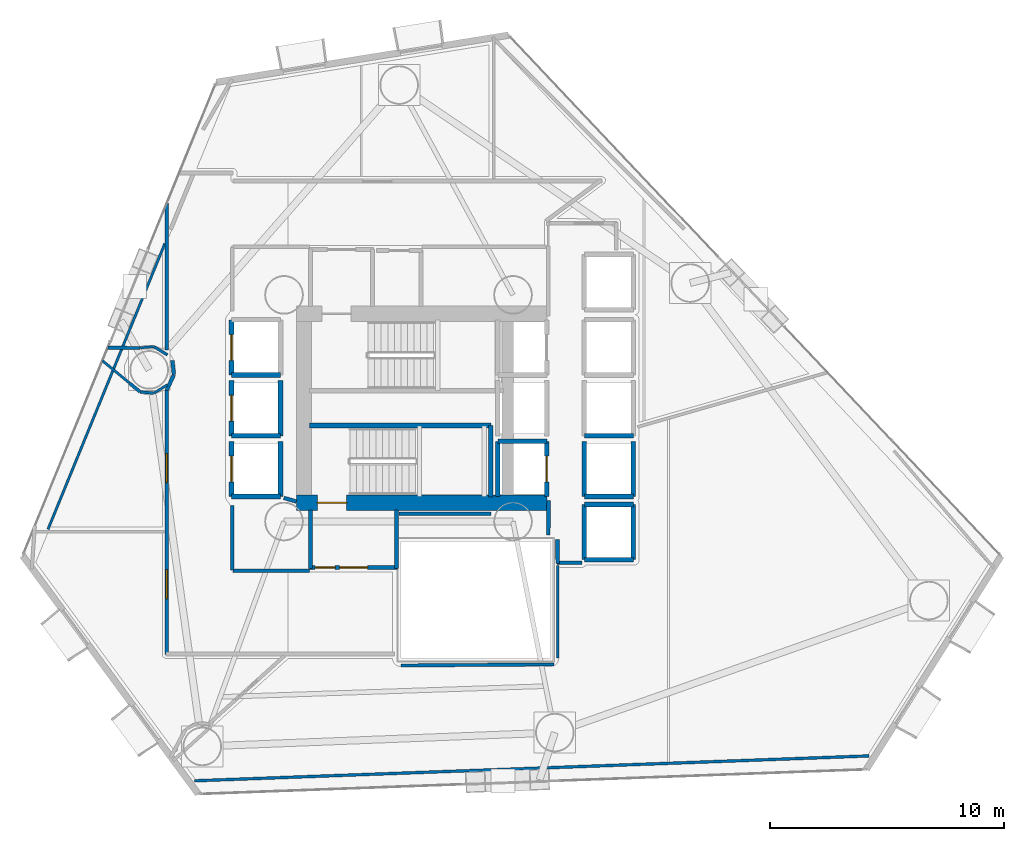
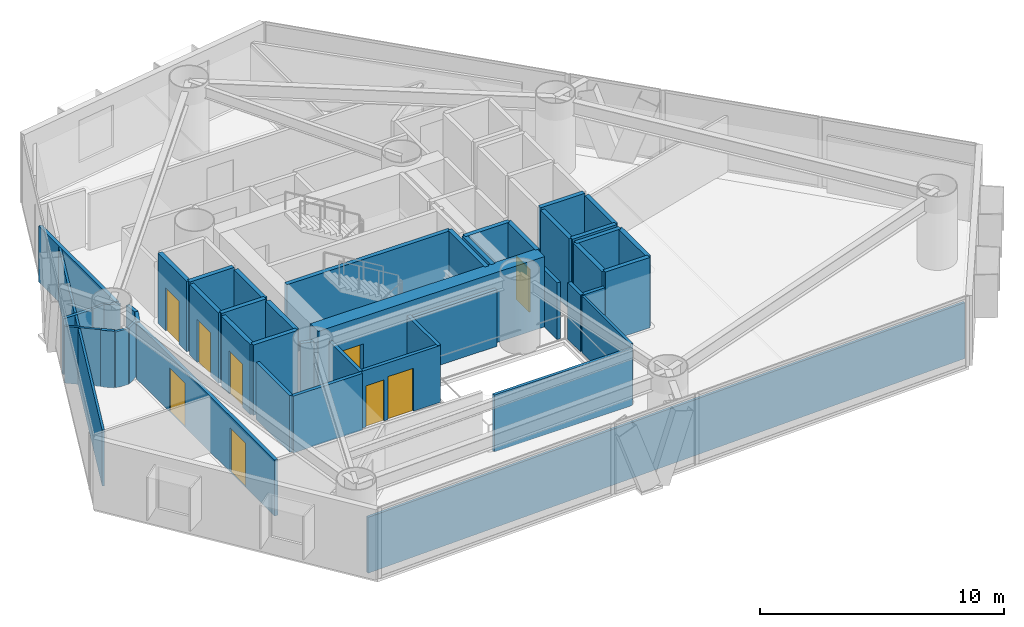
# One storey, part 17 of 23: 47 walls, 9 doors, 9 openings.
"""IFC4 building model written with IfcOpenShell, lengths in metres."""

from ifc_helpers import new_model, si_unit, direction, frame, frame_2d, origin, place, context, subcontext, project, spatial, rectangle, extrude, material, layer, layer_set, type_object, element, fill, save


model = new_model("IFC4")

# Units and contexts
model_context = context("Model", 3, precision=1e-05, world=origin(), true_north=direction((0.0, 1.0)))
body_context = subcontext(model_context, "Body", "Model", "MODEL_VIEW")
ifc_project = project(units=[si_unit("LENGTHUNIT", "METRE"), si_unit("AREAUNIT", "SQUARE_METRE"), si_unit("VOLUMEUNIT", "CUBIC_METRE"), si_unit("PLANEANGLEUNIT", "RADIAN"), si_unit("MASSUNIT", "GRAM", prefix="KILO")], contexts=[model_context])

# Site, building, storey
site_placement = place(None, origin())
site = spatial("IfcSite", under=ifc_project, at=site_placement, CompositionType="ELEMENT")
building_placement = place(site_placement, origin())
building = spatial("IfcBuilding", under=site, at=building_placement, Name="Qianvela Tower", CompositionType="ELEMENT")
storey_placement = place(building_placement, frame((0.0, 0.0, 52.5)))
storey = spatial("IfcBuildingStorey", under=building, at=storey_placement, Name="L12", CompositionType="ELEMENT", Elevation=52.5)

# Wall, opening, door
ifc_material_1 = material(Name="Concrete C60", Category="concrete")
ifc_layer_1 = layer(ifc_material_1, 0.64990234375)
ifc_layer_set_1 = layer_set([ifc_layer_1], Name="Concrete C60")
wall_type_1 = type_object("IfcWallType", Name="WT-CORE-650", PredefinedType="SHEAR", material=ifc_layer_set_1)
wall_1_placement = place(storey_placement, frame((29.1298828125, 24.655029296875, 0.0), z_axis=(0.0, 0.0, 1.0), x_axis=(1.0, 0.0, 0.0)))
wall_1 = element("IfcWall", 1, at=wall_1_placement, inside=storey, type_object=wall_type_1, Name="L12 South Core Shear Wall", PredefinedType="SHEAR", context=body_context, shape_type="SweptSolid", body=[
    extrude(rectangle(XDim=10.72021484375, YDim=0.64990234375, at=frame_2d((5.360107421875, 0.0))), origin(), (0.0, 0.0, 1.0), 3.52001953125),
])
opening_1_placement = place(wall_1_placement, frame((0.89501953125, 0.0, 0.0)))
opening_1 = element("IfcOpeningElement", 2, at=opening_1_placement, cuts=wall_1, Name="Opening D-ST1", PredefinedType="OPENING", context=body_context, shape_type="SweptSolid", body=[
    extrude(rectangle(XDim=1.25, YDim=2.14990234375, at=frame_2d((0.625, 1.074951171875))), frame((0.0, 0.3349609375, 0.0), z_axis=(0.0, -1.0, 0.0), x_axis=(1.0, 0.0, 0.0)), (0.0, 0.0, 1.0), 0.669921875),
])
ifc_material_2 = material(Name="Galvanised Fire Steel Q355B", Category="steel")
door_type_1 = type_object("IfcDoorType", Name="DT-STAIR-FD90", OperationType="NOTDEFINED", PredefinedType="DOOR", material=ifc_material_2)
door_1_placement = place(opening_1_placement, origin())
door_1 = element("IfcDoor", 3, at=door_1_placement, inside=storey, type_object=door_type_1, Name="L12 Stair ST-2 Exit Door", OperationType="SINGLE_SWING_RIGHT", OverallHeight=2.14990234375, OverallWidth=1.25, PredefinedType="DOOR", context=body_context, shape_type="SweptSolid", body=[
    extrude(rectangle(XDim=1.25, YDim=2.14990234375, at=frame_2d((0.625, 1.074951171875))), frame((0.0, 0.02490234375, 0.0), z_axis=(0.0, -1.0, 0.0), x_axis=(1.0, 0.0, 0.0)), (0.0, 0.0, 1.0), 0.050048828125),
])
fill(opening_1, door_1)

# Wall, openings, doors
ifc_material_3 = material(Name="Fire-Rated Gypsum and Concrete Block", Category="concrete")
ifc_layer_2 = layer(ifc_material_3, 0.159912109375)
ifc_layer_set_2 = layer_set([ifc_layer_2], Name="Fire-Rated Gypsum and Concrete Block")
wall_type_2 = type_object("IfcWallType", Name="WT-CORR-160", PredefinedType="PARTITIONING", material=ifc_layer_set_2)
wall_2_placement = place(storey_placement, frame((33.449951171875, 21.881103515625, 0.0), z_axis=(0.0, 0.0, 1.0), x_axis=(-1.0, 0.0, 0.0)))
wall_2 = element("IfcWall", 4, at=wall_2_placement, inside=storey, type_object=wall_type_2, Name="L12 Partition 5", PredefinedType="PARTITIONING", context=body_context, shape_type="SweptSolid", body=[
    extrude(rectangle(XDim=3.75, YDim=0.159912109375, at=frame_2d((1.875, 0.0))), origin(), (0.0, 0.0, 1.0), 2.840087890625),
])
opening_2_placement = place(wall_2_placement, frame((1.27490234375, 0.0, 0.0)))
opening_2 = element("IfcOpeningElement", 5, at=opening_2_placement, cuts=wall_2, Name="Opening D-LB1", PredefinedType="OPENING", context=body_context, shape_type="SweptSolid", body=[
    extrude(rectangle(XDim=1.199951171875, YDim=2.14990234375, at=frame_2d((0.60009765625, 1.074951171875))), frame((0.0, 0.08984375, 0.0), z_axis=(0.0, -1.0, 0.0), x_axis=(1.0, 0.0, 0.0)), (0.0, 0.0, 1.0), 0.179931640625),
])
opening_3_placement = place(wall_2_placement, frame((2.659912109375, 0.0, 0.0)))
opening_3 = element("IfcOpeningElement", 6, at=opening_3_placement, cuts=wall_2, Name="Opening D-LB2", PredefinedType="OPENING", context=body_context, shape_type="SweptSolid", body=[
    extrude(rectangle(XDim=0.860107421875, YDim=2.050048828125, at=frame_2d((0.43017578125, 1.02490234375))), frame((0.0, 0.08984375, 0.0), z_axis=(0.0, -1.0, 0.0), x_axis=(1.0, 0.0, 0.0)), (0.0, 0.0, 1.0), 0.179931640625),
])
ifc_material_4 = material(Name="Glazed Fire-Rated Steel Frame", Category="steel")
door_type_2 = type_object("IfcDoorType", Name="DT-LOBBY-FD90", OperationType="NOTDEFINED", PredefinedType="DOOR", material=ifc_material_4)
door_2_placement = place(opening_2_placement, origin())
door_2 = element("IfcDoor", 7, at=door_2_placement, inside=storey, type_object=door_type_2, Name="L12 Door L12 Firefighting Lobby South to L12 Floor Corridor", OperationType="SINGLE_SWING_LEFT", OverallHeight=2.14990234375, OverallWidth=1.199951171875, PredefinedType="DOOR", context=body_context, shape_type="SweptSolid", body=[
    extrude(rectangle(XDim=1.199951171875, YDim=2.14990234375, at=frame_2d((0.60009765625, 1.074951171875))), frame((0.0, 0.02490234375, 0.0), z_axis=(0.0, -1.0, 0.0), x_axis=(1.0, 0.0, 0.0)), (0.0, 0.0, 1.0), 0.050048828125),
])
fill(opening_2, door_2)
ifc_material_5 = material(Name="Insulated Steel Fire Door Q355B", Category="steel")
door_type_3 = type_object("IfcDoorType", Name="DT-LOBBY-FD90-860", OperationType="NOTDEFINED", PredefinedType="DOOR", material=ifc_material_5)
door_3_placement = place(opening_3_placement, origin())
door_3 = element("IfcDoor", 8, at=door_3_placement, inside=storey, type_object=door_type_3, Name="L12 Door L12 Firefighting Lobby South to L12 Floor Corridor", OperationType="SINGLE_SWING_RIGHT", OverallHeight=2.050048828125, OverallWidth=0.860107421875, PredefinedType="DOOR", context=body_context, shape_type="SweptSolid", body=[
    extrude(rectangle(XDim=0.860107421875, YDim=2.050048828125, at=frame_2d((0.43017578125, 1.02490234375))), frame((0.0, 0.02490234375, 0.0), z_axis=(0.0, -1.0, 0.0), x_axis=(1.0, 0.0, 0.0)), (0.0, 0.0, 1.0), 0.050048828125),
])
fill(opening_3, door_3)

# Walls
for number, where, z_axis, x_axis, name in (
    (9, (29.73095703125, 21.85009765625, 0.0), (0.0, 0.0, 1.0), (0.0, 1.0, 0.0), "L12 Partition 6"),
    (10, (33.4189453125, 24.342041015625, 0.0), (0.0, 0.0, 1.0), (0.0, -1.0, 0.0), "L12 Partition 8"),
):
    element("IfcWall", number, at=place(storey_placement, frame(where, z_axis=z_axis, x_axis=x_axis)), inside=storey, type_object=wall_type_2, Name=name, PredefinedType="PARTITIONING", context=body_context, shape_type="SweptSolid", body=[
        extrude(rectangle(XDim=2.491943359375, YDim=0.159912109375, at=frame_2d((1.24609375, 0.0))), origin(), (0.0, 0.0, 1.0), 2.840087890625),
    ])
wall_3_placement = place(storey_placement, frame((41.360107421875, 22.0810546875, 0.0), z_axis=(0.0, 0.0, 1.0), x_axis=(-1.0, 0.0, 0.0)))
element("IfcWall", 11, at=wall_3_placement, inside=storey, type_object=wall_type_2, Name="L12 Partition 15", PredefinedType="PARTITIONING", context=body_context, shape_type="SweptSolid", body=[
    extrude(rectangle(XDim=1.080078125, YDim=0.159912109375, at=frame_2d((0.5400390625, 0.0))), origin(), (0.0, 0.0, 1.0), 2.840087890625),
])
wall_4_placement = place(storey_placement, frame((40.31103515625, 22.05029296875, 0.0), z_axis=(0.0, 0.0, 1.0), x_axis=(-0.011836292006, 0.999929948642, 0.0)))
element("IfcWall", 12, at=wall_4_placement, inside=storey, type_object=wall_type_2, Name="L12 Partition 16", PredefinedType="PARTITIONING", context=body_context, shape_type="SweptSolid", body=[
    extrude(rectangle(XDim=1.03125, YDim=0.159912109375, at=frame_2d((0.515625, 0.0))), origin(), (0.0, 0.0, 1.0), 2.840087890625),
])
wall_5_placement = place(storey_placement, frame((39.910888671875, 23.27978515625, 0.0), z_axis=(0.0, 0.0, 1.0), x_axis=(0.009397771291, 0.999955839972, 0.0)))
element("IfcWall", 13, at=wall_5_placement, inside=storey, type_object=wall_type_2, Name="L12 Partition 17", PredefinedType="PARTITIONING", context=body_context, shape_type="SweptSolid", body=[
    extrude(rectangle(XDim=1.480712890625, YDim=0.159912109375, at=frame_2d((0.740234375, 0.0))), origin(), (0.0, 0.0, 1.0), 2.840087890625),
])
wall_6_placement = place(storey_placement, frame((29.1298828125, 24.706298828125, 0.0), z_axis=(0.0, 0.0, 1.0), x_axis=(-0.960451214223, 0.278448316742, 0.0)))
element("IfcWall", 14, at=wall_6_placement, inside=storey, type_object=wall_type_2, Name="L12 Partition 27", PredefinedType="PARTITIONING", context=body_context, shape_type="SweptSolid", body=[
    extrude(rectangle(XDim=0.56201171875, YDim=0.159912109375, at=frame_2d((0.281005859375, 0.0))), origin(), (0.0, 0.0, 1.0), 2.840087890625),
])
wall_7_placement = place(storey_placement, frame((37.466552734375, 24.180908203125, 0.0), z_axis=(0.0, 0.0, 1.0), x_axis=(-1.0, 0.0, 0.0)))
element("IfcWall", 15, at=wall_7_placement, inside=storey, type_object=wall_type_2, Name="L12 Partition 34", PredefinedType="PARTITIONING", context=body_context, shape_type="SweptSolid", body=[
    extrude(rectangle(XDim=3.9365234375, YDim=0.159912109375, at=frame_2d((1.96826171875, 0.0))), origin(), (0.0, 0.0, 1.0), 2.840087890625),
])
wall_8_placement = place(storey_placement, frame((23.5810546875, 31.197265625, 0.0), z_axis=(0.0, 0.0, 1.0), x_axis=(0.0, 1.0, 0.0)))
element("IfcWall", 16, at=wall_8_placement, inside=storey, type_object=wall_type_2, Name="L12 Partition 35", PredefinedType="PARTITIONING", context=body_context, shape_type="SweptSolid", body=[
    extrude(rectangle(XDim=6.287109375, YDim=0.159912109375, at=frame_2d((3.1435546875, 0.0))), origin(), (0.0, 0.0, 1.0), 2.798095703125),
])
wall_9_placement = place(storey_placement, frame((26.388916015625, 24.530517578125, 0.0), z_axis=(0.0, 0.0, 1.0), x_axis=(0.0, -1.0, 0.0)))
element("IfcWall", 17, at=wall_9_placement, inside=storey, type_object=wall_type_2, Name="L12 Partition 44", PredefinedType="PARTITIONING", context=body_context, shape_type="SweptSolid", body=[
    extrude(rectangle(XDim=2.75048828125, YDim=0.159912109375, at=frame_2d((1.375244140625, 0.0))), origin(), (0.0, 0.0, 1.0), 2.840087890625),
])
wall_10_placement = place(storey_placement, frame((26.419921875, 21.7490234375, 0.0), z_axis=(0.0, 0.0, 1.0), x_axis=(1.0, 0.0, 0.0)))
element("IfcWall", 18, at=wall_10_placement, inside=storey, type_object=wall_type_2, Name="L12 Partition 45 seg 1", PredefinedType="PARTITIONING", context=body_context, shape_type="SweptSolid", body=[
    extrude(rectangle(XDim=3.280029296875, YDim=0.159912109375, at=frame_2d((1.64013671875, 0.0))), origin(), (0.0, 0.0, 1.0), 2.840087890625),
])

# Wall, openings, doors
wall_11_placement = place(storey_placement, frame((23.5810546875, 18.14990234375, 0.0), z_axis=(0.0, 0.0, 1.0), x_axis=(0.0, 1.0, 0.0)))
wall_11 = element("IfcWall", 19, at=wall_11_placement, inside=storey, type_object=wall_type_2, Name="L12 Partition 47", PredefinedType="PARTITIONING", context=body_context, shape_type="SweptSolid", body=[
    extrude(rectangle(XDim=11.3330078125, YDim=0.159912109375, at=frame_2d((5.66650390625, 0.0))), origin(), (0.0, 0.0, 1.0), 2.798095703125),
])
opening_4_placement = place(wall_11_placement, frame((2.39404296875, 0.0, 0.0)))
opening_4 = element("IfcOpeningElement", 20, at=opening_4_placement, cuts=wall_11, Name="Opening D-LG1", PredefinedType="OPENING", context=body_context, shape_type="SweptSolid", body=[
    extrude(rectangle(XDim=1.25, YDim=2.199951171875, at=frame_2d((0.625, 1.10009765625))), frame((0.0, 0.08984375, 0.0), z_axis=(0.0, -1.0, 0.0), x_axis=(1.0, 0.0, 0.0)), (0.0, 0.0, 1.0), 0.179931640625),
])
opening_5_placement = place(wall_11_placement, frame((7.361083984375, 0.0, 0.0)))
opening_5 = element("IfcOpeningElement", 21, at=opening_5_placement, cuts=wall_11, Name="Opening D-LG1", PredefinedType="OPENING", context=body_context, shape_type="SweptSolid", body=[
    extrude(rectangle(XDim=1.25, YDim=2.199951171875, at=frame_2d((0.625, 1.10009765625))), frame((0.0, 0.08984375, 0.0), z_axis=(0.0, -1.0, 0.0), x_axis=(1.0, 0.0, 0.0)), (0.0, 0.0, 1.0), 0.179931640625),
])
ifc_material_6 = material(Name="Anodised Aluminium Acoustic Glass Door", Category="aluminium")
door_type_4 = type_object("IfcDoorType", Name="DT-LOUNGE-1250", OperationType="NOTDEFINED", PredefinedType="DOOR", material=ifc_material_6)
door_4_placement = place(opening_4_placement, origin())
door_4 = element("IfcDoor", 22, at=door_4_placement, inside=storey, type_object=door_type_4, Name="L12 Door Maker Craft Workshop L12-01 to L12 Floor Corridor", OperationType="SINGLE_SWING_LEFT", OverallHeight=2.199951171875, OverallWidth=1.25, PredefinedType="DOOR", context=body_context, shape_type="SweptSolid", body=[
    extrude(rectangle(XDim=1.25, YDim=2.199951171875, at=frame_2d((0.625, 1.10009765625))), frame((0.0, 0.02490234375, 0.0), z_axis=(0.0, -1.0, 0.0), x_axis=(1.0, 0.0, 0.0)), (0.0, 0.0, 1.0), 0.050048828125),
])
fill(opening_4, door_4)
door_5_placement = place(opening_5_placement, origin())
door_5 = element("IfcDoor", 23, at=door_5_placement, inside=storey, type_object=door_type_4, Name="L12 Door Student Wellness Lounge L12-05 to L12 Floor Corridor", OperationType="SINGLE_SWING_RIGHT", OverallHeight=2.199951171875, OverallWidth=1.25, PredefinedType="DOOR", context=body_context, shape_type="SweptSolid", body=[
    extrude(rectangle(XDim=1.25, YDim=2.199951171875, at=frame_2d((0.625, 1.10009765625))), frame((0.0, 0.02490234375, 0.0), z_axis=(0.0, -1.0, 0.0), x_axis=(1.0, 0.0, 0.0)), (0.0, 0.0, 1.0), 0.050048828125),
])
fill(opening_5, door_5)

# Walls
wall_12_placement = place(storey_placement, frame((23.578125, 29.4697265625, 0.0), z_axis=(0.0, 0.0, 1.0), x_axis=(0.421827918194, 0.906675910914, 0.0)))
element("IfcWall", 24, at=wall_12_placement, inside=storey, type_object=wall_type_2, Name="L12 Partition 48", PredefinedType="PARTITIONING", context=body_context, shape_type="SweptSolid", body=[
    extrude(rectangle(XDim=0.720458984375, YDim=0.159912109375, at=frame_2d((0.3603515625, 0.0))), origin(), (0.0, 0.0, 1.0), 2.840087890625),
])
wall_13_placement = place(storey_placement, frame((23.884765625, 30.13916015625, 0.0), z_axis=(0.0, 0.0, 1.0), x_axis=(-0.0981888168, 0.995167803064, 0.0)))
element("IfcWall", 25, at=wall_13_placement, inside=storey, type_object=wall_type_2, Name="L12 Partition 49", PredefinedType="PARTITIONING", context=body_context, shape_type="SweptSolid", body=[
    extrude(rectangle(XDim=0.606689453125, YDim=0.159912109375, at=frame_2d((0.30322265625, 0.0))), origin(), (0.0, 0.0, 1.0), 2.840087890625),
])
ifc_material_7 = material(Name="Lightweight Gypsum Room Partition")
ifc_layer_3 = layer(ifc_material_7, 0.10498046875)
ifc_layer_set_3 = layer_set([ifc_layer_3], Name="Lightweight Gypsum Room Partition")
wall_type_3 = type_object("IfcWallType", Name="WT-PART-105", PredefinedType="PARTITIONING", material=ifc_layer_set_3)
wall_14_placement = place(storey_placement, frame((18.5009765625, 23.519287109375, 0.0), z_axis=(0.0, 0.0, 1.0), x_axis=(0.378498212097, 0.925602022167, 0.0)))
element("IfcWall", 26, at=wall_14_placement, inside=storey, type_object=wall_type_3, Name="L12 Partition 91", PredefinedType="PARTITIONING", context=body_context, shape_type="SweptSolid", body=[
    extrude(rectangle(XDim=13.204345703125, YDim=0.10498046875, at=frame_2d((6.60205078125, 0.0))), origin(), (0.0, 0.0, 1.0), 2.798095703125),
])
wall_15_placement = place(storey_placement, frame((23.01806640625, 31.3369140625, 0.0), z_axis=(0.0, 0.0, 1.0), x_axis=(-0.995208995167, -0.097770424665, 0.0)))
element("IfcWall", 27, at=wall_15_placement, inside=storey, type_object=wall_type_3, Name="L12 Partition 94", PredefinedType="PARTITIONING", context=body_context, shape_type="SweptSolid", body=[
    extrude(rectangle(XDim=0.57177734375, YDim=0.10498046875, at=frame_2d((0.285888671875, 0.0))), origin(), (0.0, 0.0, 1.0), 2.798095703125),
])
wall_16_placement = place(storey_placement, frame((20.828857421875, 30.73388671875, 0.0), z_axis=(0.0, 0.0, 1.0), x_axis=(0.771268902295, -0.636509450325, 0.0)))
element("IfcWall", 28, at=wall_16_placement, inside=storey, type_object=wall_type_3, Name="L12 Partition 97", PredefinedType="PARTITIONING", context=body_context, shape_type="SweptSolid", body=[
    extrude(rectangle(XDim=1.492919921875, YDim=0.10498046875, at=frame_2d((0.74658203125, 0.0))), origin(), (0.0, 0.0, 1.0), 2.840087890625),
])
wall_17_placement = place(storey_placement, frame((23.03759765625, 29.34765625, 0.0), z_axis=(0.0, 0.0, 1.0), x_axis=(0.850157603054, 0.526528299306, 0.0)))
element("IfcWall", 29, at=wall_17_placement, inside=storey, type_object=wall_type_3, Name="L12 Partition 100", PredefinedType="PARTITIONING", context=body_context, shape_type="SweptSolid", body=[
    extrude(rectangle(XDim=0.677490234375, YDim=0.10498046875, at=frame_2d((0.3388671875, 0.0))), origin(), (0.0, 0.0, 1.0), 2.798095703125),
])
ifc_material_8 = material(Name="Insulated Gypsum Stud Partition")
ifc_layer_4 = layer(ifc_material_8, 0.1201171875)
ifc_layer_set_4 = layer_set([ifc_layer_4], Name="Insulated Gypsum Stud Partition")
wall_type_4 = type_object("IfcWallType", Name="WT-PART-120", PredefinedType="PARTITIONING", material=ifc_layer_set_4)
wall_18_placement = place(storey_placement, frame((40.31103515625, 18.0, 0.0), z_axis=(0.0, 0.0, 1.0), x_axis=(0.0, 1.0, 0.0)))
element("IfcWall", 30, at=wall_18_placement, inside=storey, type_object=wall_type_4, Name="L12 Partition 63 seg 1", PredefinedType="PARTITIONING", context=body_context, shape_type="SweptSolid", body=[
    extrude(rectangle(XDim=3.969970703125, YDim=0.1201171875, at=frame_2d((1.98486328125, 0.0))), origin(), (0.0, 0.0, 1.0), 2.840087890625),
])
wall_19_placement = place(storey_placement, frame((53.6337890625, 13.819580078125, 0.0), z_axis=(0.0, 0.0, 1.0), x_axis=(-0.99932003566, -0.036870941526, 0.0)))
element("IfcWall", 31, at=wall_19_placement, inside=storey, type_object=wall_type_4, Name="L12 Partition 72", PredefinedType="PARTITIONING", context=body_context, shape_type="SweptSolid", body=[
    extrude(rectangle(XDim=28.876220703125, YDim=0.1201171875, at=frame_2d((14.43798828125, 0.0))), origin(), (0.0, 0.0, 1.0), 2.798095703125),
])
wall_20_placement = place(storey_placement, frame((23.6083984375, 30.981689453125, 0.0), z_axis=(0.0, 0.0, 1.0), x_axis=(-0.852045812822, 0.523467222328, 0.0)))
element("IfcWall", 32, at=wall_20_placement, inside=storey, type_object=wall_type_4, Name="L12 Partition 93", PredefinedType="PARTITIONING", context=body_context, shape_type="SweptSolid", body=[
    extrude(rectangle(XDim=0.670166015625, YDim=0.1201171875, at=frame_2d((0.3349609375, 0.0))), origin(), (0.0, 0.0, 1.0), 2.798095703125),
])
wall_21_placement = place(storey_placement, frame((22.448974609375, 29.399169921875, 0.0), z_axis=(0.0, 0.0, 1.0), x_axis=(0.995167364461, -0.098193262045, 0.0)))
element("IfcWall", 33, at=wall_21_placement, inside=storey, type_object=wall_type_4, Name="L12 Partition 99", PredefinedType="PARTITIONING", context=body_context, shape_type="SweptSolid", body=[
    extrude(rectangle(XDim=0.57177734375, YDim=0.1201171875, at=frame_2d((0.285888671875, 0.0))), origin(), (0.0, 0.0, 1.0), 2.798095703125),
])
ifc_material_9 = material(Name="Acoustic Double Gypsum Stud Partition")
ifc_layer_5 = layer(ifc_material_9, 0.139892578125)
ifc_layer_set_5 = layer_set([ifc_layer_5], Name="Acoustic Double Gypsum Stud Partition")
wall_type_5 = type_object("IfcWallType", Name="WT-ROOM-140", PredefinedType="PARTITIONING", material=ifc_layer_set_5)
wall_22_placement = place(storey_placement, frame((33.60009765625, 17.68896484375, 0.0), z_axis=(0.0, 0.0, 1.0), x_axis=(0.999974170588, 0.007187360901, 0.0)))
element("IfcWall", 34, at=wall_22_placement, inside=storey, type_object=wall_type_5, Name="L12 Partition 62", PredefinedType="PARTITIONING", context=body_context, shape_type="SweptSolid", body=[
    extrude(rectangle(XDim=6.555908203125, YDim=0.139892578125, at=frame_2d((3.27783203125, 0.0))), origin(), (0.0, 0.0, 1.0), 2.840087890625),
])
wall_23_placement = place(storey_placement, frame((22.432373046875, 31.27392578125, 0.0), z_axis=(0.0, 0.0, 1.0), x_axis=(-0.999906553017, 0.013670597405, 0.0)))
element("IfcWall", 35, at=wall_23_placement, inside=storey, type_object=wall_type_5, Name="L12 Partition 95 seg 1", PredefinedType="PARTITIONING", context=body_context, shape_type="SweptSolid", body=[
    extrude(rectangle(XDim=1.375244140625, YDim=0.139892578125, at=frame_2d((0.6875, 0.0))), origin(), (0.0, 0.0, 1.0), 2.798095703125),
])
wall_24_placement = place(storey_placement, frame((21.990234375, 29.768798828125, 0.0), z_axis=(0.0, 0.0, 1.0), x_axis=(0.773062635709, -0.634329694458, 0.0)))
element("IfcWall", 36, at=wall_24_placement, inside=storey, type_object=wall_type_5, Name="L12 Partition 98 seg 1", PredefinedType="PARTITIONING", context=body_context, shape_type="SweptSolid", body=[
    extrude(rectangle(XDim=0.572021484375, YDim=0.139892578125, at=frame_2d((0.2861328125, 0.0))), origin(), (0.0, 0.0, 1.0), 2.840087890625),
])
ifc_material_10 = material(Name="Concrete C50", Category="concrete")
ifc_layer_6 = layer(ifc_material_10, 0.199951171875)
ifc_layer_set_6 = layer_set([ifc_layer_6], Name="Concrete C50")
wall_type_6 = type_object("IfcWallType", Name="WT-SHAFT-200", PredefinedType="SOLIDWALL", material=ifc_layer_set_6)
wall_25_placement = place(storey_placement, frame((29.699951171875, 27.9599609375, 0.0), z_axis=(0.0, 0.0, 1.0), x_axis=(1.0, 0.0, 0.0)))
element("IfcWall", 37, at=wall_25_placement, inside=storey, type_object=wall_type_6, Name="L12 Stair ST-2 North Wall", PredefinedType="SOLIDWALL", context=body_context, shape_type="SweptSolid", body=[
    extrude(rectangle(XDim=7.75, YDim=0.199951171875, at=frame_2d((3.875, 0.0))), origin(), (0.0, 0.0, 1.0), 3.52001953125),
])
wall_26_placement = place(storey_placement, frame((37.449951171875, 24.89990234375, 0.0), z_axis=(0.0, 0.0, 1.0), x_axis=(0.0, 1.0, 0.0)))
element("IfcWall", 38, at=wall_26_placement, inside=storey, type_object=wall_type_6, Name="L12 Stair ST-2 East Wall", PredefinedType="SOLIDWALL", context=body_context, shape_type="SweptSolid", body=[
    extrude(rectangle(XDim=3.06005859375, YDim=0.199951171875, at=frame_2d((1.530029296875, 0.0))), origin(), (0.0, 0.0, 1.0), 3.52001953125),
])

# Wall, opening, door
wall_27_placement = place(storey_placement, frame((39.85009765625, 24.919921875, 0.0), z_axis=(0.0, 0.0, 1.0), x_axis=(0.0, 1.0, 0.0)))
wall_27 = element("IfcWall", 39, at=wall_27_placement, inside=storey, type_object=wall_type_6, Name="L12 Lift FL-2 E Shaft Wall", PredefinedType="SOLIDWALL", context=body_context, shape_type="SweptSolid", body=[
    extrude(rectangle(XDim=2.360107421875, YDim=0.199951171875, at=frame_2d((1.18017578125, 0.0))), origin(), (0.0, 0.0, 1.0), 3.52001953125),
])
opening_6_placement = place(wall_27_placement, frame((0.6298828125, 0.0, 0.0)))
opening_6 = element("IfcOpeningElement", 40, at=opening_6_placement, cuts=wall_27, Name="Opening LD-01", PredefinedType="OPENING", context=body_context, shape_type="SweptSolid", body=[
    extrude(rectangle(XDim=1.10009765625, YDim=2.14990234375, at=frame_2d((0.550048828125, 1.074951171875))), frame((0.0, 0.10986328125, 0.0), z_axis=(0.0, -1.0, 0.0), x_axis=(1.0, 0.0, 0.0)), (0.0, 0.0, 1.0), 0.219970703125),
])
ifc_material_11 = material(Name="Brushed Stainless Steel Lift Landing Door", Category="steel")
door_type_5 = type_object("IfcDoorType", Name="DT-LIFT-SLIDE-1100", OperationType="SLIDING_TO_LEFT", PredefinedType="DOOR", material=ifc_material_11)
door_6_placement = place(opening_6_placement, origin())
door_6 = element("IfcDoor", 41, at=door_6_placement, inside=storey, type_object=door_type_5, Name="L12 Lift FL-2 Sliding Landing Door", OperationType="SLIDING_TO_LEFT", OverallHeight=2.14990234375, OverallWidth=1.10009765625, PredefinedType="DOOR", context=body_context, shape_type="SweptSolid", body=[
    extrude(rectangle(XDim=1.10009765625, YDim=2.14990234375, at=frame_2d((0.550048828125, 1.074951171875))), frame((0.0, 0.02490234375, 0.0), z_axis=(0.0, -1.0, 0.0), x_axis=(1.0, 0.0, 0.0)), (0.0, 0.0, 1.0), 0.050048828125),
])
fill(opening_6, door_6)

# Walls
wall_28_placement = place(storey_placement, frame((37.75, 24.919921875, 0.0), z_axis=(0.0, 0.0, 1.0), x_axis=(0.0, 1.0, 0.0)))
element("IfcWall", 42, at=wall_28_placement, inside=storey, type_object=wall_type_6, Name="L12 Lift FL-2 W Shaft Wall", PredefinedType="SOLIDWALL", context=body_context, shape_type="SweptSolid", body=[
    extrude(rectangle(XDim=2.360107421875, YDim=0.199951171875, at=frame_2d((1.18017578125, 0.0))), origin(), (0.0, 0.0, 1.0), 3.52001953125),
])
wall_29_placement = place(storey_placement, frame((37.75, 27.280029296875, 0.0), z_axis=(0.0, 0.0, 1.0), x_axis=(1.0, 0.0, 0.0)))
element("IfcWall", 43, at=wall_29_placement, inside=storey, type_object=wall_type_6, Name="L12 Lift FL-2 N Shaft Wall", PredefinedType="SOLIDWALL", context=body_context, shape_type="SweptSolid", body=[
    extrude(rectangle(XDim=2.10009765625, YDim=0.199951171875, at=frame_2d((1.050048828125, 0.0))), origin(), (0.0, 0.0, 1.0), 3.52001953125),
])

# Wall, opening, door
wall_30_placement = place(storey_placement, frame((26.35009765625, 30.1201171875, 0.0), z_axis=(0.0, 0.0, 1.0), x_axis=(0.0, 1.0, 0.0)))
wall_30 = element("IfcWall", 44, at=wall_30_placement, inside=storey, type_object=wall_type_6, Name="L12 Lift PL-L1 W Shaft Wall", PredefinedType="SOLIDWALL", context=body_context, shape_type="SweptSolid", body=[
    extrude(rectangle(XDim=2.35986328125, YDim=0.199951171875, at=frame_2d((1.179931640625, 0.0))), origin(), (0.0, 0.0, 1.0), 3.52001953125),
])
opening_7_placement = place(wall_30_placement, frame((0.6298828125, 0.0, 0.0)))
opening_7 = element("IfcOpeningElement", 45, at=opening_7_placement, cuts=wall_30, Name="Opening LD-01", PredefinedType="OPENING", context=body_context, shape_type="SweptSolid", body=[
    extrude(rectangle(XDim=1.10009765625, YDim=2.14990234375, at=frame_2d((0.550048828125, 1.074951171875))), frame((0.0, 0.10986328125, 0.0), z_axis=(0.0, -1.0, 0.0), x_axis=(1.0, 0.0, 0.0)), (0.0, 0.0, 1.0), 0.219970703125),
])
door_7_placement = place(opening_7_placement, origin())
door_7 = element("IfcDoor", 46, at=door_7_placement, inside=storey, type_object=door_type_5, Name="L12 Lift PL-L1 Sliding Landing Door", OperationType="SLIDING_TO_LEFT", OverallHeight=2.14990234375, OverallWidth=1.10009765625, PredefinedType="DOOR", context=body_context, shape_type="SweptSolid", body=[
    extrude(rectangle(XDim=1.10009765625, YDim=2.14990234375, at=frame_2d((0.550048828125, 1.074951171875))), frame((0.0, 0.02490234375, 0.0), z_axis=(0.0, -1.0, 0.0), x_axis=(1.0, 0.0, 0.0)), (0.0, 0.0, 1.0), 0.050048828125),
])
fill(opening_7, door_7)

# Walls
wall_31_placement = place(storey_placement, frame((26.35009765625, 30.1201171875, 0.0), z_axis=(0.0, 0.0, 1.0), x_axis=(1.0, 0.0, 0.0)))
element("IfcWall", 47, at=wall_31_placement, inside=storey, type_object=wall_type_6, Name="L12 Lift PL-L1 S Shaft Wall", PredefinedType="SOLIDWALL", context=body_context, shape_type="SweptSolid", body=[
    extrude(rectangle(XDim=2.099853515625, YDim=0.199951171875, at=frame_2d((1.0498046875, 0.0))), origin(), (0.0, 0.0, 1.0), 3.52001953125),
])
wall_32_placement = place(storey_placement, frame((28.449951171875, 27.52001953125, 0.0), z_axis=(0.0, 0.0, 1.0), x_axis=(0.0, 1.0, 0.0)))
element("IfcWall", 48, at=wall_32_placement, inside=storey, type_object=wall_type_6, Name="L12 Lift PL-L2 E Shaft Wall", PredefinedType="SOLIDWALL", context=body_context, shape_type="SweptSolid", body=[
    extrude(rectangle(XDim=2.35986328125, YDim=0.199951171875, at=frame_2d((1.179931640625, 0.0))), origin(), (0.0, 0.0, 1.0), 3.52001953125),
])

# Wall, opening, door
wall_33_placement = place(storey_placement, frame((26.35009765625, 27.52001953125, 0.0), z_axis=(0.0, 0.0, 1.0), x_axis=(0.0, 1.0, 0.0)))
wall_33 = element("IfcWall", 49, at=wall_33_placement, inside=storey, type_object=wall_type_6, Name="L12 Lift PL-L2 W Shaft Wall", PredefinedType="SOLIDWALL", context=body_context, shape_type="SweptSolid", body=[
    extrude(rectangle(XDim=2.35986328125, YDim=0.199951171875, at=frame_2d((1.179931640625, 0.0))), origin(), (0.0, 0.0, 1.0), 3.52001953125),
])
opening_8_placement = place(wall_33_placement, frame((0.6298828125, 0.0, 0.0)))
opening_8 = element("IfcOpeningElement", 50, at=opening_8_placement, cuts=wall_33, Name="Opening LD-01", PredefinedType="OPENING", context=body_context, shape_type="SweptSolid", body=[
    extrude(rectangle(XDim=1.10009765625, YDim=2.14990234375, at=frame_2d((0.550048828125, 1.074951171875))), frame((0.0, 0.10986328125, 0.0), z_axis=(0.0, -1.0, 0.0), x_axis=(1.0, 0.0, 0.0)), (0.0, 0.0, 1.0), 0.219970703125),
])
door_8_placement = place(opening_8_placement, origin())
door_8 = element("IfcDoor", 51, at=door_8_placement, inside=storey, type_object=door_type_5, Name="L12 Lift PL-L2 Sliding Landing Door", OperationType="SLIDING_TO_LEFT", OverallHeight=2.14990234375, OverallWidth=1.10009765625, PredefinedType="DOOR", context=body_context, shape_type="SweptSolid", body=[
    extrude(rectangle(XDim=1.10009765625, YDim=2.14990234375, at=frame_2d((0.550048828125, 1.074951171875))), frame((0.0, 0.02490234375, 0.0), z_axis=(0.0, -1.0, 0.0), x_axis=(1.0, 0.0, 0.0)), (0.0, 0.0, 1.0), 0.050048828125),
])
fill(opening_8, door_8)

# Walls
wall_34_placement = place(storey_placement, frame((26.35009765625, 27.52001953125, 0.0), z_axis=(0.0, 0.0, 1.0), x_axis=(1.0, 0.0, 0.0)))
element("IfcWall", 52, at=wall_34_placement, inside=storey, type_object=wall_type_6, Name="L12 Lift PL-L2 S Shaft Wall", PredefinedType="SOLIDWALL", context=body_context, shape_type="SweptSolid", body=[
    extrude(rectangle(XDim=2.099853515625, YDim=0.199951171875, at=frame_2d((1.0498046875, 0.0))), origin(), (0.0, 0.0, 1.0), 3.52001953125),
])
wall_35_placement = place(storey_placement, frame((28.449951171875, 24.919921875, 0.0), z_axis=(0.0, 0.0, 1.0), x_axis=(0.0, 1.0, 0.0)))
element("IfcWall", 53, at=wall_35_placement, inside=storey, type_object=wall_type_6, Name="L12 Lift PL-L3 E Shaft Wall", PredefinedType="SOLIDWALL", context=body_context, shape_type="SweptSolid", body=[
    extrude(rectangle(XDim=2.360107421875, YDim=0.199951171875, at=frame_2d((1.18017578125, 0.0))), origin(), (0.0, 0.0, 1.0), 3.52001953125),
])

# Wall, opening, door
wall_36_placement = place(storey_placement, frame((26.35009765625, 24.919921875, 0.0), z_axis=(0.0, 0.0, 1.0), x_axis=(0.0, 1.0, 0.0)))
wall_36 = element("IfcWall", 54, at=wall_36_placement, inside=storey, type_object=wall_type_6, Name="L12 Lift PL-L3 W Shaft Wall", PredefinedType="SOLIDWALL", context=body_context, shape_type="SweptSolid", body=[
    extrude(rectangle(XDim=2.360107421875, YDim=0.199951171875, at=frame_2d((1.18017578125, 0.0))), origin(), (0.0, 0.0, 1.0), 3.52001953125),
])
opening_9_placement = place(wall_36_placement, frame((0.6298828125, 0.0, 0.0)))
opening_9 = element("IfcOpeningElement", 55, at=opening_9_placement, cuts=wall_36, Name="Opening LD-01", PredefinedType="OPENING", context=body_context, shape_type="SweptSolid", body=[
    extrude(rectangle(XDim=1.10009765625, YDim=2.14990234375, at=frame_2d((0.550048828125, 1.074951171875))), frame((0.0, 0.10986328125, 0.0), z_axis=(0.0, -1.0, 0.0), x_axis=(1.0, 0.0, 0.0)), (0.0, 0.0, 1.0), 0.219970703125),
])
door_9_placement = place(opening_9_placement, origin())
door_9 = element("IfcDoor", 56, at=door_9_placement, inside=storey, type_object=door_type_5, Name="L12 Lift PL-L3 Sliding Landing Door", OperationType="SLIDING_TO_LEFT", OverallHeight=2.14990234375, OverallWidth=1.10009765625, PredefinedType="DOOR", context=body_context, shape_type="SweptSolid", body=[
    extrude(rectangle(XDim=1.10009765625, YDim=2.14990234375, at=frame_2d((0.550048828125, 1.074951171875))), frame((0.0, 0.02490234375, 0.0), z_axis=(0.0, -1.0, 0.0), x_axis=(1.0, 0.0, 0.0)), (0.0, 0.0, 1.0), 0.050048828125),
])
fill(opening_9, door_9)

# Walls
wall_37_placement = place(storey_placement, frame((26.35009765625, 24.919921875, 0.0), z_axis=(0.0, 0.0, 1.0), x_axis=(1.0, 0.0, 0.0)))
element("IfcWall", 57, at=wall_37_placement, inside=storey, type_object=wall_type_6, Name="L12 Lift PL-L3 S Shaft Wall", PredefinedType="SOLIDWALL", context=body_context, shape_type="SweptSolid", body=[
    extrude(rectangle(XDim=2.099853515625, YDim=0.199951171875, at=frame_2d((1.0498046875, 0.0))), origin(), (0.0, 0.0, 1.0), 3.52001953125),
])
wall_38_placement = place(storey_placement, frame((41.449951171875, 27.52001953125, 0.0), z_axis=(0.0, 0.0, 1.0), x_axis=(1.0, 0.0, 0.0)))
element("IfcWall", 58, at=wall_38_placement, inside=storey, type_object=wall_type_6, Name="L12 Lift PL-M2 S Shaft Wall", PredefinedType="SOLIDWALL", context=body_context, shape_type="SweptSolid", body=[
    extrude(rectangle(XDim=2.10009765625, YDim=0.199951171875, at=frame_2d((1.050048828125, 0.0))), origin(), (0.0, 0.0, 1.0), 3.52001953125),
])
for number, where, z_axis, x_axis, name in (
    (59, (43.550048828125, 24.919921875, 0.0), (0.0, 0.0, 1.0), (0.0, 1.0, 0.0), "L12 Lift PL-M3 E Shaft Wall"),
    (60, (41.449951171875, 24.919921875, 0.0), (0.0, 0.0, 1.0), (0.0, 1.0, 0.0), "L12 Lift PL-M3 W Shaft Wall"),
):
    element("IfcWall", number, at=place(storey_placement, frame(where, z_axis=z_axis, x_axis=x_axis)), inside=storey, type_object=wall_type_6, Name=name, PredefinedType="SOLIDWALL", context=body_context, shape_type="SweptSolid", body=[
        extrude(rectangle(XDim=2.360107421875, YDim=0.199951171875, at=frame_2d((1.18017578125, 0.0))), origin(), (0.0, 0.0, 1.0), 3.52001953125),
    ])
wall_39_placement = place(storey_placement, frame((41.449951171875, 24.919921875, 0.0), z_axis=(0.0, 0.0, 1.0), x_axis=(1.0, 0.0, 0.0)))
element("IfcWall", 61, at=wall_39_placement, inside=storey, type_object=wall_type_6, Name="L12 Lift PL-M3 S Shaft Wall", PredefinedType="SOLIDWALL", context=body_context, shape_type="SweptSolid", body=[
    extrude(rectangle(XDim=2.10009765625, YDim=0.199951171875, at=frame_2d((1.050048828125, 0.0))), origin(), (0.0, 0.0, 1.0), 3.52001953125),
])
for number, where, z_axis, x_axis, name in (
    (62, (43.550048828125, 22.219970703125, 0.0), (0.0, 0.0, 1.0), (0.0, 1.0, 0.0), "L12 Lift PL-H2 E Shaft Wall"),
    (63, (41.449951171875, 22.219970703125, 0.0), (0.0, 0.0, 1.0), (0.0, 1.0, 0.0), "L12 Lift PL-H2 W Shaft Wall"),
):
    element("IfcWall", number, at=place(storey_placement, frame(where, z_axis=z_axis, x_axis=x_axis)), inside=storey, type_object=wall_type_6, Name=name, PredefinedType="SOLIDWALL", context=body_context, shape_type="SweptSolid", body=[
        extrude(rectangle(XDim=2.360107421875, YDim=0.199951171875, at=frame_2d((1.18017578125, 0.0))), origin(), (0.0, 0.0, 1.0), 3.52001953125),
    ])
for number, where, z_axis, x_axis, name in (
    (64, (41.449951171875, 24.580078125, 0.0), (0.0, 0.0, 1.0), (1.0, 0.0, 0.0), "L12 Lift PL-H2 N Shaft Wall"),
    (65, (41.449951171875, 22.219970703125, 0.0), (0.0, 0.0, 1.0), (1.0, 0.0, 0.0), "L12 Lift PL-H2 S Shaft Wall"),
):
    element("IfcWall", number, at=place(storey_placement, frame(where, z_axis=z_axis, x_axis=x_axis)), inside=storey, type_object=wall_type_6, Name=name, PredefinedType="SOLIDWALL", context=body_context, shape_type="SweptSolid", body=[
        extrude(rectangle(XDim=2.10009765625, YDim=0.199951171875, at=frame_2d((1.050048828125, 0.0))), origin(), (0.0, 0.0, 1.0), 3.52001953125),
    ])

save(model, "model.ifc")
